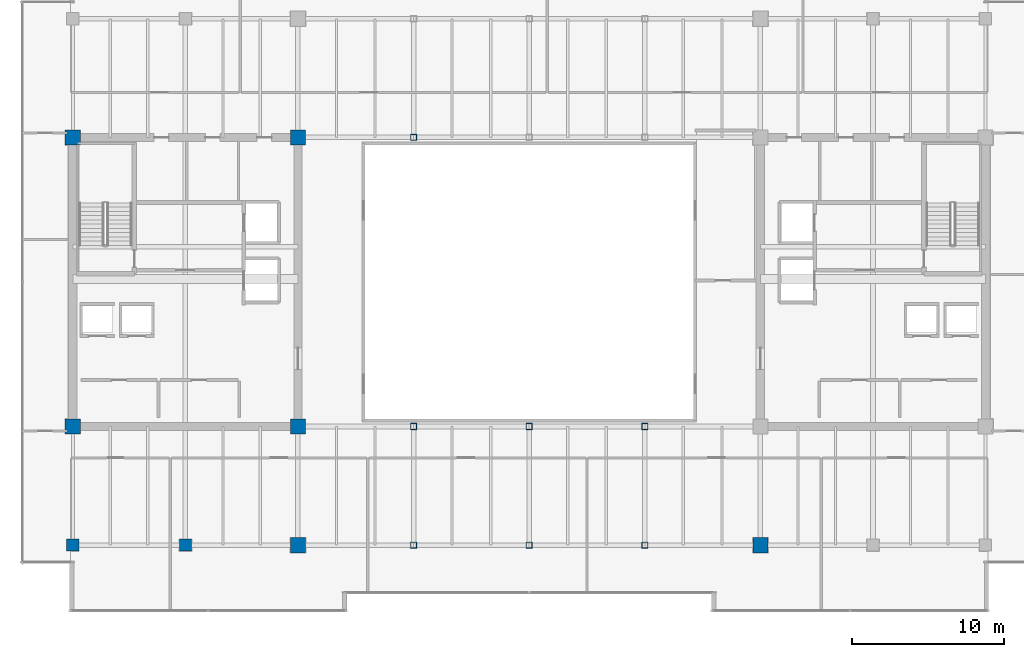
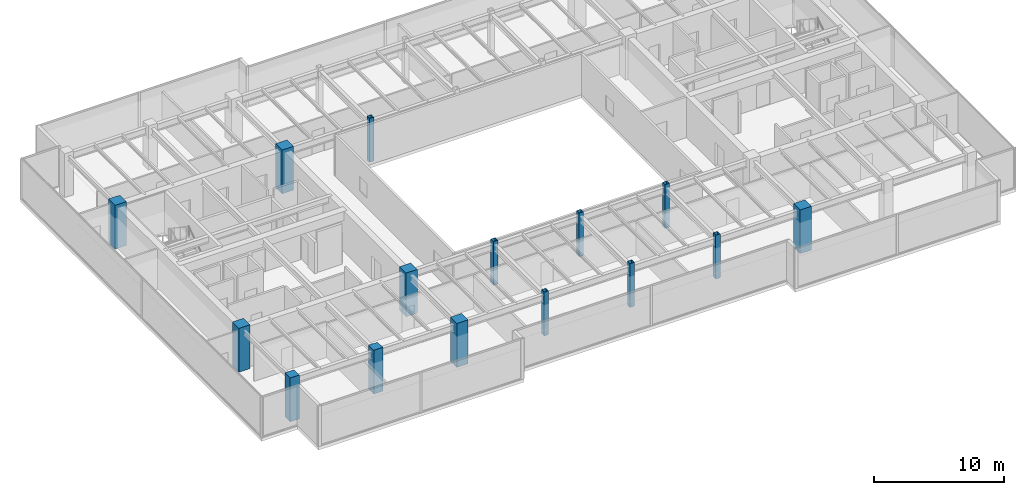
# One storey, part 1 of 35: 15 columns.
"""IFC4 building model written with IfcOpenShell, lengths in metres."""

from ifc_helpers import new_model, si_unit, direction, frame, origin, origin_2d, place, context, subcontext, project, spatial, rectangle, hollow_rectangle, extrude, source, transform, mapped, material, material_profile, profile_set, type_object, type_shapes, element, save


model = new_model("IFC4")

# Units and contexts
model_context = context("Model", 3, precision=1e-05, world=origin(), true_north=direction((0.0, 1.0)))
body_context = subcontext(model_context, "Body", "Model", "MODEL_VIEW")
ifc_project = project(units=[si_unit("LENGTHUNIT", "METRE"), si_unit("AREAUNIT", "SQUARE_METRE"), si_unit("VOLUMEUNIT", "CUBIC_METRE"), si_unit("PLANEANGLEUNIT", "RADIAN"), si_unit("MASSUNIT", "GRAM", prefix="KILO")], contexts=[model_context])

# Site, building, storey
site_placement = place(None, origin())
site = spatial("IfcSite", under=ifc_project, at=site_placement, CompositionType="ELEMENT")
building_placement = place(site_placement, origin())
building = spatial("IfcBuilding", under=site, at=building_placement, Name="Haelvirn Gate Laboratories", CompositionType="ELEMENT")
storey_placement = place(building_placement, frame((0.0, 0.0, 221.89990234375)))
storey = spatial("IfcBuildingStorey", under=building, at=storey_placement, Name="L53", CompositionType="ELEMENT", Elevation=221.89990234375)

# Columns
ifc_material_1 = material(Name="Concrete C60/75", Category="concrete")
ifc_material_profile_1 = material_profile(ifc_material_1, rectangle(XDim=1.0, YDim=1.0, at=origin_2d()), Name="RC-1000x1000")
ifc_profile_set_1 = profile_set([ifc_material_profile_1], Name="Concrete C60/75")
column_type_1 = type_object("IfcColumnType", Name="COL-RC-1000", PredefinedType="COLUMN", material=ifc_profile_set_1)
shared_shape_1 = source(origin(), body_context, "Body", "SweptSolid", [
    extrude(rectangle(XDim=1.0, YDim=1.0, at=origin_2d()), origin(), (0.0, 0.0, 1.0), 4.10009765625),
])
type_shapes(column_type_1, [shared_shape_1])
for number, where, z_axis, x_axis, name in (
    (1, (22.199951171875, 7.0, 0.0), (0.0, 0.0, 1.0), (1.0, 0.0, 0.0), "L53 Column 4B"),
    (2, (7.39990234375, 14.800048828125, 0.0), (0.0, 0.0, 1.0), (1.0, 0.0, 0.0), "L53 Column 2C"),
    (3, (22.199951171875, 14.800048828125, 0.0), (0.0, 0.0, 1.0), (1.0, 0.0, 0.0), "L53 Column 4C"),
    (4, (7.39990234375, 33.800048828125, 0.0), (0.0, 0.0, 1.0), (1.0, 0.0, 0.0), "L53 Column 2F"),
    (5, (22.199951171875, 33.800048828125, 0.0), (0.0, 0.0, 1.0), (1.0, 0.0, 0.0), "L53 Column 4F"),
    (6, (52.60009765625, 7.0, 0.0), (0.0, 0.0, 1.0), (1.0, 0.0, 0.0), "L53 Column 8B"),
):
    element("IfcColumn", number, at=place(storey_placement, frame(where, z_axis=z_axis, x_axis=x_axis)), inside=storey, type_object=column_type_1, Name=name, PredefinedType="COLUMN", context=body_context, shape_type="MappedRepresentation", body=[
        mapped(shared_shape_1, transform((0.0, 0.0, 0.0), scale=1.0)),
    ])
ifc_material_2 = material(Name="Concrete C50/60", Category="concrete")
ifc_material_profile_2 = material_profile(ifc_material_2, rectangle(XDim=0.800048828125, YDim=0.800048828125, at=origin_2d()), Name="RC-800x800")
ifc_profile_set_2 = profile_set([ifc_material_profile_2], Name="Concrete C50/60")
column_type_2 = type_object("IfcColumnType", Name="COL-RC-800", PredefinedType="COLUMN", material=ifc_profile_set_2)
shared_shape_2 = source(origin(), body_context, "Body", "SweptSolid", [
    extrude(rectangle(XDim=0.800048828125, YDim=0.800048828125, at=origin_2d()), origin(), (0.0, 0.0, 1.0), 4.10009765625),
])
type_shapes(column_type_2, [shared_shape_2])
for number, where, z_axis, x_axis, name in (
    (7, (14.800048828125, 7.0, 0.0), (0.0, 0.0, 1.0), (1.0, 0.0, 0.0), "L53 Column 3B"),
    (8, (7.39990234375, 7.0, 0.0), (0.0, 0.0, 1.0), (1.0, 0.0, 0.0), "L53 Column 2B"),
):
    element("IfcColumn", number, at=place(storey_placement, frame(where, z_axis=z_axis, x_axis=x_axis)), inside=storey, type_object=column_type_2, Name=name, PredefinedType="COLUMN", context=body_context, shape_type="MappedRepresentation", body=[
        mapped(shared_shape_2, transform((0.0, 0.0, 0.0), scale=1.0)),
    ])
ifc_material_3 = material(Name="Steel SM355", Category="steel")
ifc_material_profile_3 = material_profile(ifc_material_3, hollow_rectangle(XDim=0.39990234375, YDim=0.39990234375, WallThickness=0.01904296875, at=origin_2d()), Name="BOX-400x400x19")
ifc_profile_set_3 = profile_set([ifc_material_profile_3], Name="Steel SM355")
column_type_3 = type_object("IfcColumnType", Name="COL-BOX-400", PredefinedType="COLUMN", material=ifc_profile_set_3)
shared_shape_3 = source(origin(), body_context, "Body", "SweptSolid", [
    extrude(hollow_rectangle(XDim=0.39990234375, YDim=0.39990234375, WallThickness=0.01904296875, at=origin_2d()), origin(), (0.0, 0.0, 1.0), 4.10009765625),
])
type_shapes(column_type_3, [shared_shape_3])
for number, where, z_axis, x_axis, name in (
    (9, (29.800048828125, 7.0, 0.0), (0.0, 0.0, 1.0), (1.0, 0.0, 0.0), "L53 Column 5B"),
    (10, (29.800048828125, 14.800048828125, 0.0), (0.0, 0.0, 1.0), (1.0, 0.0, 0.0), "L53 Column 5C"),
    (11, (29.800048828125, 33.800048828125, 0.0), (0.0, 0.0, 1.0), (1.0, 0.0, 0.0), "L53 Column 5F"),
    (12, (37.39990234375, 7.0, 0.0), (0.0, 0.0, 1.0), (1.0, 0.0, 0.0), "L53 Column 6B"),
    (13, (37.39990234375, 14.800048828125, 0.0), (0.0, 0.0, 1.0), (1.0, 0.0, 0.0), "L53 Column 6C"),
    (14, (45.0, 7.0, 0.0), (0.0, 0.0, 1.0), (1.0, 0.0, 0.0), "L53 Column 7B"),
    (15, (45.0, 14.800048828125, 0.0), (0.0, 0.0, 1.0), (1.0, 0.0, 0.0), "L53 Column 7C"),
):
    element("IfcColumn", number, at=place(storey_placement, frame(where, z_axis=z_axis, x_axis=x_axis)), inside=storey, type_object=column_type_3, Name=name, PredefinedType="COLUMN", context=body_context, shape_type="MappedRepresentation", body=[
        mapped(shared_shape_3, transform((0.0, 0.0, 0.0), scale=1.0)),
    ])

save(model, "model.ifc")
